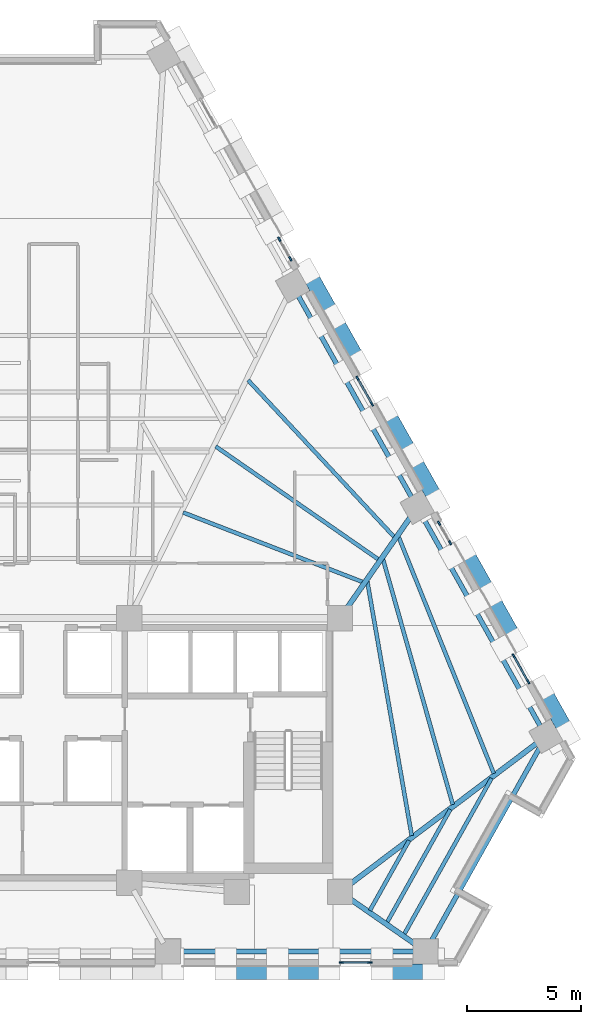
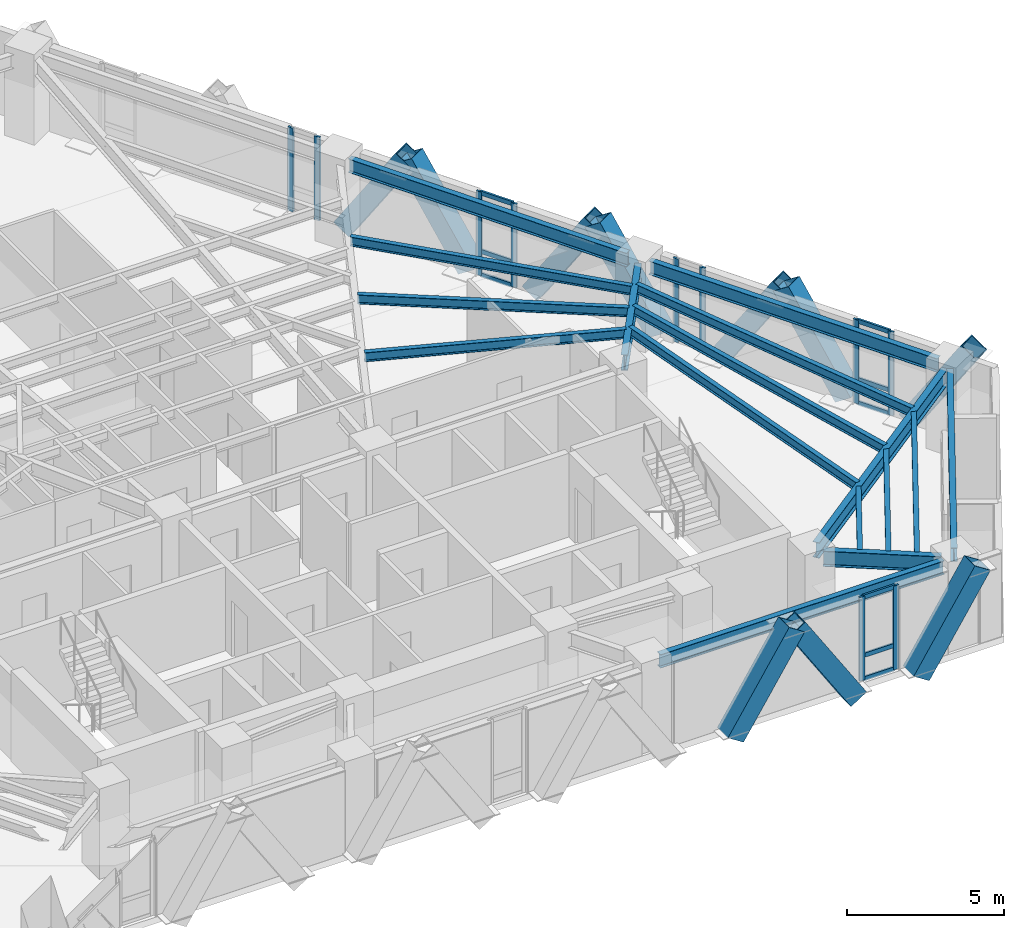
# One storey, part 4 of 13: 29 members, 16 beams, 5 elements without a shape of their own.
"""IFC4 building model written with IfcOpenShell, lengths in metres."""

from ifc_helpers import new_model, si_unit, direction, frame, origin, origin_2d, place, context, subcontext, project, spatial, rectangle, hollow_rectangle, i_section, extrude, material, material_profile, profile_set, type_object, element, aggregate, save


model = new_model("IFC4")

# Units and contexts
model_context = context("Model", 3, precision=1e-05, world=origin(), true_north=direction((0.0, 1.0)))
body_context = subcontext(model_context, "Body", "Model", "MODEL_VIEW")
ifc_project = project(units=[si_unit("LENGTHUNIT", "METRE"), si_unit("AREAUNIT", "SQUARE_METRE"), si_unit("VOLUMEUNIT", "CUBIC_METRE"), si_unit("PLANEANGLEUNIT", "RADIAN"), si_unit("MASSUNIT", "GRAM", prefix="KILO")], contexts=[model_context])

# Site, building, storey
site_placement = place(None, origin())
site = spatial("IfcSite", under=ifc_project, at=site_placement, CompositionType="ELEMENT")
building_placement = place(site_placement, origin())
building = spatial("IfcBuilding", under=site, at=building_placement, Name="Quenlor Broadcast Tower", CompositionType="ELEMENT")
storey_placement = place(building_placement, frame((0.0, 0.0, 105.5)))
storey = spatial("IfcBuildingStorey", under=building, at=storey_placement, Name="L28", CompositionType="ELEMENT", Elevation=105.5)

# Curtain wall, members
ifc_material_1 = material(Name="Architectural Terracotta and Low-E Glazing", Category="masonry")
curtain_wall_type = type_object("IfcCurtainWallType", Name="Unitised Terracotta Curtain Wall System Z2", PredefinedType="NOTDEFINED", material=ifc_material_1)
curtain_wall_1_placement = place(storey_placement, origin())
curtain_wall_1 = element("IfcCurtainWall", 1, at=curtain_wall_1_placement, inside=storey, type_object=curtain_wall_type, Name="L28 Curtain Wall CW2 (L28-SA-G1)", PredefinedType="NOTDEFINED")
ifc_material_2 = material(Name="Aluminium 6063-T6", Category="aluminium")
ifc_material_profile_1 = material_profile(ifc_material_2, rectangle(XDim=0.074951171875, YDim=0.199951171875, at=origin_2d()))
ifc_profile_set_1 = profile_set([ifc_material_profile_1], Name="Aluminium 6063-T6 MULL75x200")
member_type_1 = type_object("IfcMemberType", Name="CW2 Aluminium Mullion MULL_CW2", PredefinedType="MULLION", material=ifc_profile_set_1)
member_1_placement = place(storey_placement, frame((14.254150390625, -19.840087890625, 0.0), z_axis=(0.0, 0.0, 1.0), x_axis=(0.0, -1.0, 0.0)))
member_1 = element("IfcMember", 2, at=member_1_placement, type_object=member_type_1, Name="CW2 mullion 1", PredefinedType="MULLION", context=body_context, shape_type="SweptSolid", body=[
    extrude(rectangle(XDim=0.074951171875, YDim=0.199951171875, at=origin_2d()), origin(), (0.0, 0.0, 1.0), 3.25),
])
member_2_placement = place(storey_placement, frame((13.01611328125, -19.840087890625, 0.0), z_axis=(0.0, 0.0, 1.0), x_axis=(0.0, -1.0, 0.0)))
member_2 = element("IfcMember", 3, at=member_2_placement, type_object=member_type_1, Name="CW2 mullion 2", PredefinedType="MULLION", context=body_context, shape_type="SweptSolid", body=[
    extrude(rectangle(XDim=0.074951171875, YDim=0.199951171875, at=origin_2d()), origin(), (0.0, 0.0, 1.0), 3.25),
])

curtain_wall_2_placement = place(storey_placement, origin())
curtain_wall_2 = element("IfcCurtainWall", 4, at=curtain_wall_2_placement, inside=storey, type_object=curtain_wall_type, Name="L28 Curtain Wall CW2 (L28-NEA-G2)", PredefinedType="NOTDEFINED")
member_3_placement = place(storey_placement, frame((10.306396484375, 11.751220703125, 0.0), z_axis=(0.0, 0.0, 1.0), x_axis=(0.871580587336, 0.490252261371, 0.0)))
member_3 = element("IfcMember", 5, at=member_3_placement, type_object=member_type_1, Name="CW2 mullion 1", PredefinedType="MULLION", context=body_context, shape_type="SweptSolid", body=[
    extrude(rectangle(XDim=0.074951171875, YDim=0.199951171875, at=origin_2d()), origin(), (0.0, 0.0, 1.0), 3.25),
])
member_4_placement = place(storey_placement, frame((10.7880859375, 10.894775390625, 0.0), z_axis=(0.0, 0.0, 1.0), x_axis=(0.871580587336, 0.490252261371, 0.0)))
member_4 = element("IfcMember", 6, at=member_4_placement, type_object=member_type_1, Name="CW2 mullion 2", PredefinedType="MULLION", context=body_context, shape_type="SweptSolid", body=[
    extrude(rectangle(XDim=0.074951171875, YDim=0.199951171875, at=origin_2d()), origin(), (0.0, 0.0, 1.0), 3.25),
])
aggregate(curtain_wall_2, [member_3, member_4])

curtain_wall_3_placement = place(storey_placement, origin())
curtain_wall_3 = element("IfcCurtainWall", 7, at=curtain_wall_3_placement, inside=storey, type_object=curtain_wall_type, Name="L28 Curtain Wall CW2 (L28-NEC-G1)", PredefinedType="NOTDEFINED")
member_5_placement = place(storey_placement, frame((17.282958984375, -0.651611328125, 0.0), z_axis=(0.0, 0.0, 1.0), x_axis=(0.871580587336, 0.490252261371, 0.0)))
member_5 = element("IfcMember", 8, at=member_5_placement, type_object=member_type_1, Name="CW2 mullion 1", PredefinedType="MULLION", context=body_context, shape_type="SweptSolid", body=[
    extrude(rectangle(XDim=0.074951171875, YDim=0.199951171875, at=origin_2d()), origin(), (0.0, 0.0, 1.0), 3.25),
])
member_6_placement = place(storey_placement, frame((17.7646484375, -1.508056640625, 0.0), z_axis=(0.0, 0.0, 1.0), x_axis=(0.871580587336, 0.490252261371, 0.0)))
member_6 = element("IfcMember", 9, at=member_6_placement, type_object=member_type_1, Name="CW2 mullion 2", PredefinedType="MULLION", context=body_context, shape_type="SweptSolid", body=[
    extrude(rectangle(XDim=0.074951171875, YDim=0.199951171875, at=origin_2d()), origin(), (0.0, 0.0, 1.0), 3.25),
])
aggregate(curtain_wall_3, [member_5, member_6])

curtain_wall_4_placement = place(storey_placement, origin())
curtain_wall_4 = element("IfcCurtainWall", 10, at=curtain_wall_4_placement, inside=storey, type_object=curtain_wall_type, Name="L28 Curtain Wall CW2 (L28-NEC-G2)", PredefinedType="NOTDEFINED")
member_7_placement = place(storey_placement, frame((20.545654296875, -6.451904296875, 0.0), z_axis=(0.0, 0.0, 1.0), x_axis=(0.871565749621, 0.490278639232, 0.0)))
member_7 = element("IfcMember", 11, at=member_7_placement, type_object=member_type_1, Name="CW2 mullion 1", PredefinedType="MULLION", context=body_context, shape_type="SweptSolid", body=[
    extrude(rectangle(XDim=0.074951171875, YDim=0.199951171875, at=origin_2d()), origin(), (0.0, 0.0, 1.0), 3.25),
])
member_8_placement = place(storey_placement, frame((21.177734375, -7.57568359375, 0.0), z_axis=(0.0, 0.0, 1.0), x_axis=(0.871565749621, 0.490278639232, 0.0)))
member_8 = element("IfcMember", 12, at=member_8_placement, type_object=member_type_1, Name="CW2 mullion 2", PredefinedType="MULLION", context=body_context, shape_type="SweptSolid", body=[
    extrude(rectangle(XDim=0.074951171875, YDim=0.199951171875, at=origin_2d()), origin(), (0.0, 0.0, 1.0), 3.25),
])

curtain_wall_5_placement = place(storey_placement, origin())
curtain_wall_5 = element("IfcCurtainWall", 13, at=curtain_wall_5_placement, inside=storey, type_object=curtain_wall_type, Name="L28 Curtain Wall CW2 (L28-NE-G1)", PredefinedType="NOTDEFINED")
member_9_placement = place(storey_placement, frame((13.719482421875, 5.683349609375, 0.0), z_axis=(0.0, 0.0, 1.0), x_axis=(0.871579452423, 0.490254279037, 0.0)))
member_9 = element("IfcMember", 14, at=member_9_placement, type_object=member_type_1, Name="CW2 mullion 1", PredefinedType="MULLION", context=body_context, shape_type="SweptSolid", body=[
    extrude(rectangle(XDim=0.074951171875, YDim=0.199951171875, at=origin_2d()), origin(), (0.0, 0.0, 1.0), 3.25),
])
member_10_placement = place(storey_placement, frame((14.3515625, 4.559814453125, 0.0), z_axis=(0.0, 0.0, 1.0), x_axis=(0.871579452423, 0.490254279037, 0.0)))
member_10 = element("IfcMember", 15, at=member_10_placement, type_object=member_type_1, Name="CW2 mullion 2", PredefinedType="MULLION", context=body_context, shape_type="SweptSolid", body=[
    extrude(rectangle(XDim=0.074951171875, YDim=0.199951171875, at=origin_2d()), origin(), (0.0, 0.0, 1.0), 3.25),
])

# Member
ifc_material_3 = material(Name="Aluminium 6063-T6", Category="aluminium")
ifc_material_profile_2 = material_profile(ifc_material_3, rectangle(XDim=0.074951171875, YDim=0.1650390625, at=origin_2d()))
ifc_profile_set_2 = profile_set([ifc_material_profile_2], Name="Aluminium 6063-T6 TRAN75x165")
member_type_2 = type_object("IfcMemberType", Name="CW2 Aluminium Transom TRAN_CW2", PredefinedType="USERDEFINED", material=ifc_profile_set_2)
member_11_placement = place(storey_placement, frame((14.216796875, -19.840087890625, 0.03759765625), z_axis=(-1.0, 0.0, 0.0), x_axis=(0.0, -1.0, 0.0)))
member_11 = element("IfcMember", 16, at=member_11_placement, type_object=member_type_2, Name="CW2 transom 1.1", ObjectType="TRANSOM", PredefinedType="USERDEFINED", context=body_context, shape_type="SweptSolid", body=[
    extrude(rectangle(XDim=0.074951171875, YDim=0.1650390625, at=origin_2d()), origin(), (0.0, 0.0, 1.0), 1.1630859375),
])

member_12_placement = place(storey_placement, frame((14.216796875, -19.840087890625, 0.949951171875), z_axis=(-1.0, 0.0, 0.0), x_axis=(0.0, -1.0, 0.0)))
member_12 = element("IfcMember", 17, at=member_12_placement, type_object=member_type_2, Name="CW2 transom 1.2", ObjectType="TRANSOM", PredefinedType="USERDEFINED", context=body_context, shape_type="SweptSolid", body=[
    extrude(rectangle(XDim=0.074951171875, YDim=0.1650390625, at=origin_2d()), origin(), (0.0, 0.0, 1.0), 1.1630859375),
])

member_13_placement = place(storey_placement, frame((14.216796875, -19.840087890625, 3.21240234375), z_axis=(-1.0, 0.0, 0.0), x_axis=(0.0, -1.0, 0.0)))
member_13 = element("IfcMember", 18, at=member_13_placement, type_object=member_type_2, Name="CW2 transom 1.3", ObjectType="TRANSOM", PredefinedType="USERDEFINED", context=body_context, shape_type="SweptSolid", body=[
    extrude(rectangle(XDim=0.074951171875, YDim=0.1650390625, at=origin_2d()), origin(), (0.0, 0.0, 1.0), 1.1630859375),
])

aggregate(curtain_wall_1, [member_1, member_2, member_11, member_12, member_13])

member_14_placement = place(storey_placement, frame((20.56396484375, -6.484619140625, 0.03759765625), z_axis=(0.490347143438, -0.871527210661, 0.0), x_axis=(0.871527210661, 0.490347143438, 0.0)))
member_14 = element("IfcMember", 19, at=member_14_placement, type_object=member_type_2, Name="CW2 transom 1.1", ObjectType="TRANSOM", PredefinedType="USERDEFINED", context=body_context, shape_type="SweptSolid", body=[
    extrude(rectangle(XDim=0.074951171875, YDim=0.1650390625, at=origin_2d()), origin(), (0.0, 0.0, 1.0), 1.21435546875),
])

member_15_placement = place(storey_placement, frame((20.56396484375, -6.484619140625, 0.949951171875), z_axis=(0.490347143438, -0.871527210661, 0.0), x_axis=(0.871527210661, 0.490347143438, 0.0)))
member_15 = element("IfcMember", 20, at=member_15_placement, type_object=member_type_2, Name="CW2 transom 1.2", ObjectType="TRANSOM", PredefinedType="USERDEFINED", context=body_context, shape_type="SweptSolid", body=[
    extrude(rectangle(XDim=0.074951171875, YDim=0.1650390625, at=origin_2d()), origin(), (0.0, 0.0, 1.0), 1.21435546875),
])

member_16_placement = place(storey_placement, frame((20.56396484375, -6.484619140625, 3.21240234375), z_axis=(0.490347143438, -0.871527210661, 0.0), x_axis=(0.871527210661, 0.490347143438, 0.0)))
member_16 = element("IfcMember", 21, at=member_16_placement, type_object=member_type_2, Name="CW2 transom 1.3", ObjectType="TRANSOM", PredefinedType="USERDEFINED", context=body_context, shape_type="SweptSolid", body=[
    extrude(rectangle(XDim=0.074951171875, YDim=0.1650390625, at=origin_2d()), origin(), (0.0, 0.0, 1.0), 1.21435546875),
])

aggregate(curtain_wall_4, [member_7, member_8, member_14, member_15, member_16])

member_17_placement = place(storey_placement, frame((13.73779296875, 5.650634765625, 0.03759765625), z_axis=(0.490433072585, -0.871478858788, 0.0), x_axis=(0.871478858788, 0.490433072585, 0.0)))
member_17 = element("IfcMember", 22, at=member_17_placement, type_object=member_type_2, Name="CW2 transom 1.1", ObjectType="TRANSOM", PredefinedType="USERDEFINED", context=body_context, shape_type="SweptSolid", body=[
    extrude(rectangle(XDim=0.074951171875, YDim=0.1650390625, at=origin_2d()), origin(), (0.0, 0.0, 1.0), 1.214111328125),
])

member_18_placement = place(storey_placement, frame((13.73779296875, 5.650634765625, 0.949951171875), z_axis=(0.490433072585, -0.871478858788, 0.0), x_axis=(0.871478858788, 0.490433072585, 0.0)))
member_18 = element("IfcMember", 23, at=member_18_placement, type_object=member_type_2, Name="CW2 transom 1.2", ObjectType="TRANSOM", PredefinedType="USERDEFINED", context=body_context, shape_type="SweptSolid", body=[
    extrude(rectangle(XDim=0.074951171875, YDim=0.1650390625, at=origin_2d()), origin(), (0.0, 0.0, 1.0), 1.214111328125),
])

member_19_placement = place(storey_placement, frame((13.73779296875, 5.650634765625, 3.21240234375), z_axis=(0.490433072585, -0.871478858788, 0.0), x_axis=(0.871478858788, 0.490433072585, 0.0)))
member_19 = element("IfcMember", 24, at=member_19_placement, type_object=member_type_2, Name="CW2 transom 1.3", ObjectType="TRANSOM", PredefinedType="USERDEFINED", context=body_context, shape_type="SweptSolid", body=[
    extrude(rectangle(XDim=0.074951171875, YDim=0.1650390625, at=origin_2d()), origin(), (0.0, 0.0, 1.0), 1.214111328125),
])

aggregate(curtain_wall_5, [member_9, member_10, member_17, member_18, member_19])

# Members
ifc_material_4 = material(Name="Steel S355", Category="steel")
ifc_material_profile_3 = material_profile(ifc_material_4, hollow_rectangle(XDim=0.679931640625, YDim=0.679931640625, WallThickness=0.030029296875, at=origin_2d()))
ifc_profile_set_3 = profile_set([ifc_material_profile_3], Name="Steel S355 RHS680x680x30")
member_type_3 = type_object("IfcMemberType", Name="Perimeter Diagonal Lattice Brace Z2 Steel S355 RHS680x30", PredefinedType="BRACE", material=ifc_profile_set_3)
for number, where, z_axis, x_axis, name in (
    (25, (12.4853515625, -20.235107421875, -0.1201171875), (-0.539968035679, 0.0, 0.841685523485), (0.0, -1.0, 0.0), "L28 Perimeter Diamond Lattice S-C1S"),
    (26, (14.78515625, -20.235107421875, -0.1201171875), (0.539968035679, 0.0, 0.841685523485), (0.0, 1.0, 0.0), "L28 Perimeter Diamond Lattice S-C1B"),
    (27, (7.967529296875, -20.235107421875, -0.1201171875), (0.539968035679, 0.0, 0.841685523485), (0.0, 1.0, 0.0), "L28 Perimeter Diamond Lattice S-C2B"),
):
    element("IfcMember", number, at=place(storey_placement, frame(where, z_axis=z_axis, x_axis=x_axis)), inside=storey, type_object=member_type_3, Name=name, PredefinedType="BRACE", context=body_context, shape_type="SweptSolid", body=[
        extrude(hollow_rectangle(XDim=0.679931640625, YDim=0.679931640625, WallThickness=0.030029296875, at=origin_2d()), origin(), (0.0, 0.0, 1.0), 4.158203125),
    ])
member_20_placement = place(storey_placement, frame((11.54248046875, 10.359619140625, -0.1201171875), z_axis=(0.268634887212, -0.477637964099, 0.83647909276), x_axis=(0.871603971106, 0.490210686901, 0.0)))
element("IfcMember", 28, at=member_20_placement, inside=storey, type_object=member_type_3, Name="L28 Perimeter Diamond Lattice NE-C2S", PredefinedType="BRACE", context=body_context, shape_type="SweptSolid", body=[
    extrude(hollow_rectangle(XDim=0.679931640625, YDim=0.679931640625, WallThickness=0.030029296875, at=origin_2d()), origin(), (0.0, 0.0, 1.0), 4.184326171875),
])
for number, where, z_axis, x_axis, name in (
    (29, (14.955322265625, 4.291748046875, -0.1201171875), (0.268696511206, -0.477585438485, 0.836489290913), (0.871532878923, 0.490337068716, 0.0), "L28 Perimeter Diamond Lattice NE-C3S"),
    (30, (13.80419921875, 6.338623046875, -0.1201171875), (-0.268642373731, 0.477592925498, 0.83650240439), (-0.871578380919, -0.490256183964, 0.0), "L28 Perimeter Diamond Lattice NE-C3B"),
    (31, (18.368408203125, -1.77587890625, -0.1201171875), (0.268696511206, -0.477585438485, 0.836489290913), (0.871532878923, 0.490337068716, 0.0), "L28 Perimeter Diamond Lattice NE-C4S"),
    (32, (17.21728515625, 0.27099609375, -0.1201171875), (-0.268696511206, 0.477585438485, 0.836489290913), (-0.871532878923, -0.490337068716, 0.0), "L28 Perimeter Diamond Lattice NE-C4B"),
    (33, (21.781494140625, -7.843505859375, -0.1201171875), (0.268696511206, -0.477585438485, 0.836489290913), (0.871532878923, 0.490337068716, 0.0), "L28 Perimeter Diamond Lattice NE-C5S"),
    (34, (20.63037109375, -5.796630859375, -0.1201171875), (-0.268696511206, 0.477585438485, 0.836489290913), (-0.871532878923, -0.490337068716, 0.0), "L28 Perimeter Diamond Lattice NE-C5B"),
):
    element("IfcMember", number, at=place(storey_placement, frame(where, z_axis=z_axis, x_axis=x_axis)), inside=storey, type_object=member_type_3, Name=name, PredefinedType="BRACE", context=body_context, shape_type="SweptSolid", body=[
        extrude(hollow_rectangle(XDim=0.679931640625, YDim=0.679931640625, WallThickness=0.030029296875, at=origin_2d()), origin(), (0.0, 0.0, 1.0), 4.18408203125),
    ])

# Beams
ifc_material_5 = material(Name="Steel S355", Category="steel")
ifc_material_profile_4 = material_profile(ifc_material_5, i_section(OverallWidth=0.208984375, OverallDepth=0.5283203125, WebThickness=0.009521484375, FlangeThickness=0.01318359375, FilletRadius=0.013916015625, at=origin_2d()))
ifc_profile_set_4 = profile_set([ifc_material_profile_4], Name="Steel S355 530UB82.0")
beam_type_1 = type_object("IfcBeamType", Name="Perimeter Spandrel Beam Z2 Steel S355 530UB82.0", PredefinedType="SPANDREL", material=ifc_profile_set_4)
beam_1_placement = place(storey_placement, frame((5.853271484375, -19.35009765625, 2.98583984375), z_axis=(1.0, 0.0, 0.0), x_axis=(0.0, 1.0, 0.0)))
element("IfcBeam", 35, at=beam_1_placement, inside=storey, type_object=beam_type_1, Name="L28 Spandrel Beam S3-S4", PredefinedType="SPANDREL", context=body_context, shape_type="SweptSolid", body=[
    extrude(i_section(OverallWidth=0.208984375, OverallDepth=0.5283203125, WebThickness=0.009521484375, FlangeThickness=0.01318359375, FilletRadius=0.013916015625, at=origin_2d()), origin(), (0.0, 0.0, 1.0), 10.42919921875),
])
beam_2_placement = place(storey_placement, frame((16.892822265625, -18.9921875, 2.98583984375), z_axis=(0.488749102779, 0.872424389006, 0.0), x_axis=(-0.872424389006, 0.488749102779, 0.0)))
element("IfcBeam", 36, at=beam_2_placement, inside=storey, type_object=beam_type_1, Name="L28 Spandrel Beam S4-NE1", PredefinedType="SPANDREL", context=body_context, shape_type="SweptSolid", body=[
    extrude(i_section(OverallWidth=0.208984375, OverallDepth=0.5283203125, WebThickness=0.009521484375, FlangeThickness=0.01318359375, FilletRadius=0.013916015625, at=origin_2d()), origin(), (0.0, 0.0, 1.0), 9.947021484375),
])
beam_3_placement = place(storey_placement, frame((21.753662109375, -9.59912109375, 2.98583984375), z_axis=(-0.490263415828, 0.871574313011, 0.0), x_axis=(-0.871574313011, -0.490263415828, 0.0)))
element("IfcBeam", 37, at=beam_3_placement, inside=storey, type_object=beam_type_1, Name="L28 Spandrel Beam NE1-NE2", PredefinedType="SPANDREL", context=body_context, shape_type="SweptSolid", body=[
    extrude(i_section(OverallWidth=0.208984375, OverallDepth=0.5283203125, WebThickness=0.009521484375, FlangeThickness=0.01318359375, FilletRadius=0.013916015625, at=origin_2d()), origin(), (0.0, 0.0, 1.0), 10.65283203125),
])
beam_4_placement = place(storey_placement, frame((16.129150390625, 0.400146484375, 2.98583984375), z_axis=(-0.49026462139, 0.871573634878, 0.0), x_axis=(-0.871573634878, -0.49026462139, 0.0)))
element("IfcBeam", 38, at=beam_4_placement, inside=storey, type_object=beam_type_1, Name="L28 Spandrel Beam NE2-NE3", PredefinedType="SPANDREL", context=body_context, shape_type="SweptSolid", body=[
    extrude(i_section(OverallWidth=0.208984375, OverallDepth=0.5283203125, WebThickness=0.009521484375, FlangeThickness=0.01318359375, FilletRadius=0.013916015625, at=origin_2d()), origin(), (0.0, 0.0, 1.0), 10.28271484375),
])
ifc_material_6 = material(Name="Steel S355", Category="steel")
ifc_material_profile_5 = material_profile(ifc_material_6, i_section(OverallWidth=0.172119140625, OverallDepth=0.358642578125, WebThickness=0.008056640625, FlangeThickness=0.012939453125, FilletRadius=0.011474609375, at=origin_2d()))
ifc_profile_set_5 = profile_set([ifc_material_profile_5], Name="Steel S355 360UB56.7")
beam_type_2 = type_object("IfcBeamType", Name="Tower Composite Joist Z2-Z3 Steel S355 360UB56.7", PredefinedType="JOIST", material=ifc_profile_set_5)
beam_5_placement = place(storey_placement, frame((13.95703125, -3.221435546875, 3.07080078125), z_axis=(-0.932542579586, 0.361060018916, 0.0), x_axis=(-0.361060018916, -0.932542579586, 0.0)))
element("IfcBeam", 39, at=beam_5_placement, inside=storey, type_object=beam_type_2, Name="L28 Secondary Composite Joist 10", PredefinedType="JOIST", context=body_context, shape_type="SweptSolid", body=[
    extrude(i_section(OverallWidth=0.172119140625, OverallDepth=0.358642578125, WebThickness=0.008056640625, FlangeThickness=0.012939453125, FilletRadius=0.011474609375, at=origin_2d()), origin(), (0.0, 0.0, 1.0), 8.416259765625),
])
beam_6_placement = place(storey_placement, frame((14.641845703125, -2.236083984375, 3.07080078125), z_axis=(-0.821385737622, 0.570373097219, 0.0), x_axis=(-0.570373097219, -0.821385737622, 0.0)))
element("IfcBeam", 40, at=beam_6_placement, inside=storey, type_object=beam_type_2, Name="L28 Secondary Composite Joist 11", PredefinedType="JOIST", context=body_context, shape_type="SweptSolid", body=[
    extrude(i_section(OverallWidth=0.172119140625, OverallDepth=0.358642578125, WebThickness=0.008056640625, FlangeThickness=0.012939453125, FilletRadius=0.011474609375, at=origin_2d()), origin(), (0.0, 0.0, 1.0), 8.662109375),
])
beam_7_placement = place(storey_placement, frame((15.3291015625, -1.254638671875, 3.07080078125), z_axis=(-0.681880655944, 0.73146344478, 0.0), x_axis=(-0.73146344478, -0.681880655944, 0.0)))
element("IfcBeam", 41, at=beam_7_placement, inside=storey, type_object=beam_type_2, Name="L28 Secondary Composite Joist 12", PredefinedType="JOIST", context=body_context, shape_type="SweptSolid", body=[
    extrude(i_section(OverallWidth=0.172119140625, OverallDepth=0.358642578125, WebThickness=0.008056640625, FlangeThickness=0.012939453125, FilletRadius=0.011474609375, at=origin_2d()), origin(), (0.0, 0.0, 1.0), 9.365234375),
])
beam_8_placement = place(storey_placement, frame((16.087890625, -14.29345703125, 3.07080078125), z_axis=(-0.172120396521, 0.985075920476, 0.0), x_axis=(-0.985075920476, -0.172120396521, 0.0)))
element("IfcBeam", 42, at=beam_8_placement, inside=storey, type_object=beam_type_2, Name="L28 Secondary Composite Joist 16", PredefinedType="JOIST", context=body_context, shape_type="SweptSolid", body=[
    extrude(i_section(OverallWidth=0.172119140625, OverallDepth=0.358642578125, WebThickness=0.008056640625, FlangeThickness=0.012939453125, FilletRadius=0.011474609375, at=origin_2d()), origin(), (0.0, 0.0, 1.0), 11.27783203125),
])
beam_9_placement = place(storey_placement, frame((17.880615234375, -12.9365234375, 3.07080078125), z_axis=(-0.273563993601, 0.96185380459, 0.0), x_axis=(-0.96185380459, -0.273563993601, 0.0)))
element("IfcBeam", 43, at=beam_9_placement, inside=storey, type_object=beam_type_2, Name="L28 Secondary Composite Joist 17", PredefinedType="JOIST", context=body_context, shape_type="SweptSolid", body=[
    extrude(i_section(OverallWidth=0.172119140625, OverallDepth=0.358642578125, WebThickness=0.008056640625, FlangeThickness=0.012939453125, FilletRadius=0.011474609375, at=origin_2d()), origin(), (0.0, 0.0, 1.0), 11.1484375),
])
beam_10_placement = place(storey_placement, frame((19.673583984375, -11.580810546875, 3.07080078125), z_axis=(-0.373180395983, 0.92775880058, 0.0), x_axis=(-0.92775880058, -0.373180395983, 0.0)))
element("IfcBeam", 44, at=beam_10_placement, inside=storey, type_object=beam_type_2, Name="L28 Secondary Composite Joist 18", PredefinedType="JOIST", context=body_context, shape_type="SweptSolid", body=[
    extrude(i_section(OverallWidth=0.172119140625, OverallDepth=0.358642578125, WebThickness=0.008056640625, FlangeThickness=0.012939453125, FilletRadius=0.011474609375, at=origin_2d()), origin(), (0.0, 0.0, 1.0), 11.143798828125),
])
beam_11_placement = place(storey_placement, frame((14.261474609375, -17.564208984375, 3.07080078125), z_axis=(0.488730779643, 0.87243465373, 0.0), x_axis=(-0.87243465373, 0.488730779643, 0.0)))
element("IfcBeam", 45, at=beam_11_placement, inside=storey, type_object=beam_type_2, Name="L28 Secondary Composite Joist 22", PredefinedType="JOIST", context=body_context, shape_type="SweptSolid", body=[
    extrude(i_section(OverallWidth=0.172119140625, OverallDepth=0.358642578125, WebThickness=0.008056640625, FlangeThickness=0.012939453125, FilletRadius=0.011474609375, at=origin_2d()), origin(), (0.0, 0.0, 1.0), 3.500732421875),
])
beam_12_placement = place(storey_placement, frame((15.010009765625, -18.084228515625, 3.07080078125), z_axis=(0.488741419435, 0.87242869332, 0.0), x_axis=(-0.87242869332, 0.488741419435, 0.0)))
element("IfcBeam", 46, at=beam_12_placement, inside=storey, type_object=beam_type_2, Name="L28 Secondary Composite Joist 23", PredefinedType="JOIST", context=body_context, shape_type="SweptSolid", body=[
    extrude(i_section(OverallWidth=0.172119140625, OverallDepth=0.358642578125, WebThickness=0.008056640625, FlangeThickness=0.012939453125, FilletRadius=0.011474609375, at=origin_2d()), origin(), (0.0, 0.0, 1.0), 5.654052734375),
])
beam_13_placement = place(storey_placement, frame((15.758544921875, -18.604248046875, 3.07080078125), z_axis=(0.488732857155, 0.872433489922, 0.0), x_axis=(-0.872433489922, 0.488732857155, 0.0)))
element("IfcBeam", 47, at=beam_13_placement, inside=storey, type_object=beam_type_2, Name="L28 Secondary Composite Joist 24", PredefinedType="JOIST", context=body_context, shape_type="SweptSolid", body=[
    extrude(i_section(OverallWidth=0.172119140625, OverallDepth=0.358642578125, WebThickness=0.008056640625, FlangeThickness=0.012939453125, FilletRadius=0.011474609375, at=origin_2d()), origin(), (0.0, 0.0, 1.0), 7.807861328125),
])
ifc_material_7 = material(Name="Steel S355", Category="steel")
ifc_material_profile_6 = material_profile(ifc_material_7, i_section(OverallWidth=0.22802734375, OverallDepth=0.60205078125, WebThickness=0.010498046875, FlangeThickness=0.014892578125, FilletRadius=0.013916015625, at=origin_2d()))
ifc_profile_set_6 = profile_set([ifc_material_profile_6], Name="Steel S355 610UB101")
beam_type_3 = type_object("IfcBeamType", Name="Tower Primary Floor Beam Z2 Steel S355 610UB101", PredefinedType="BEAM", material=ifc_profile_set_6)
beam_14_placement = place(storey_placement, frame((16.355712890625, -19.1162109375, 2.948974609375), z_axis=(-0.821227395059, 0.570601056436, 0.0), x_axis=(-0.570601056436, -0.821227395059, 0.0)))
element("IfcBeam", 48, at=beam_14_placement, inside=storey, type_object=beam_type_3, Name="L28 Primary Radial Beam S4", PredefinedType="BEAM", context=body_context, shape_type="SweptSolid", body=[
    extrude(i_section(OverallWidth=0.22802734375, OverallDepth=0.60205078125, WebThickness=0.010498046875, FlangeThickness=0.014892578125, FilletRadius=0.013916015625, at=origin_2d()), origin(), (0.0, 0.0, 1.0), 3.766845703125),
])
beam_15_placement = place(storey_placement, frame((21.62744140625, -10.203369140625, 2.948974609375), z_axis=(-0.798298724007, -0.602261693327, 0.0), x_axis=(0.602261693327, -0.798298724007, 0.0)))
element("IfcBeam", 49, at=beam_15_placement, inside=storey, type_object=beam_type_3, Name="L28 Primary Radial Beam NE1", PredefinedType="BEAM", context=body_context, shape_type="SweptSolid", body=[
    extrude(i_section(OverallWidth=0.22802734375, OverallDepth=0.60205078125, WebThickness=0.010498046875, FlangeThickness=0.014892578125, FilletRadius=0.013916015625, at=origin_2d()), origin(), (0.0, 0.0, 1.0), 10.48974609375),
])
beam_16_placement = place(storey_placement, frame((16.095458984375, -0.293212890625, 2.948974609375), z_axis=(-0.572337599985, -0.820018092266, 0.0), x_axis=(0.820018092266, -0.572337599985, 0.0)))
element("IfcBeam", 50, at=beam_16_placement, inside=storey, type_object=beam_type_3, Name="L28 Primary Radial Beam NE2", PredefinedType="BEAM", context=body_context, shape_type="SweptSolid", body=[
    extrude(i_section(OverallWidth=0.22802734375, OverallDepth=0.60205078125, WebThickness=0.010498046875, FlangeThickness=0.014892578125, FilletRadius=0.013916015625, at=origin_2d()), origin(), (0.0, 0.0, 1.0), 5.11572265625),
])

save(model, "model.ifc")
